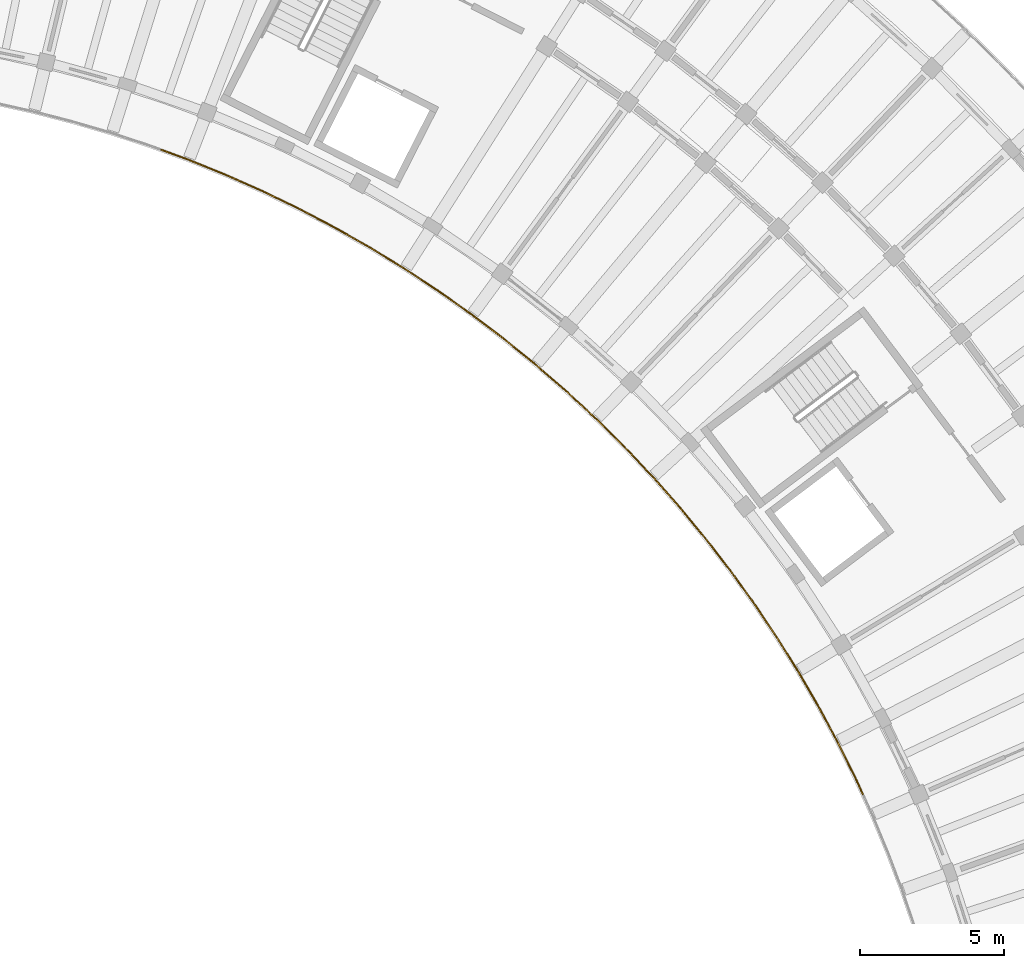
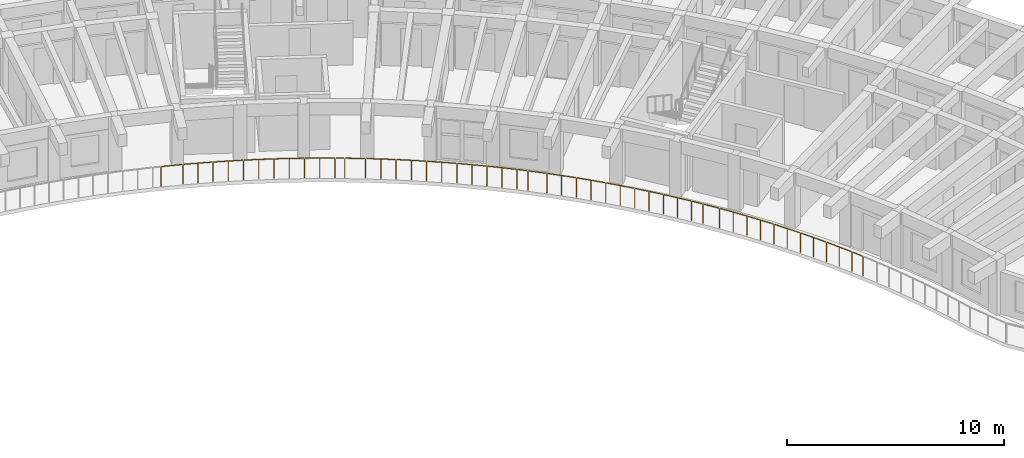
# One storey, part 92 of 96: 4 railings.
"""IFC4 building model written with IfcOpenShell, lengths in metres."""

from ifc_helpers import new_model, si_unit, direction, frame, origin, origin_2d, place, context, subcontext, project, spatial, circle, extrude, material, type_object, element, save


model = new_model("IFC4")

# Units and contexts
model_context = context("Model", 3, precision=1e-05, world=origin(), true_north=direction((0.0, 1.0)))
body_context = subcontext(model_context, "Body", "Model", "MODEL_VIEW")
ifc_project = project(units=[si_unit("LENGTHUNIT", "METRE"), si_unit("AREAUNIT", "SQUARE_METRE"), si_unit("VOLUMEUNIT", "CUBIC_METRE"), si_unit("PLANEANGLEUNIT", "RADIAN"), si_unit("MASSUNIT", "GRAM", prefix="KILO")], contexts=[model_context])

# Site, building, storey
site_placement = place(None, origin())
site = spatial("IfcSite", under=ifc_project, at=site_placement, CompositionType="ELEMENT")
building_placement = place(site_placement, origin())
building = spatial("IfcBuilding", under=site, at=building_placement, Name="Tanwirah Colonnade Gardens", CompositionType="ELEMENT")
storey_placement = place(building_placement, frame((0.0, 0.0, 12.199951171875)))
storey = spatial("IfcBuildingStorey", under=building, at=storey_placement, Name="L03", CompositionType="ELEMENT", Elevation=12.199951171875)

# Railings
ifc_material = material(Name="Precast concrete C40/50", Category="concrete")
railing_type = type_object("IfcRailingType", Name="BAL-EXT112", PredefinedType="BALUSTRADE", material=ifc_material)
railing_1_placement = place(storey_placement, frame((159.798095703125, 77.970947265625, 0.0)))
element("IfcRailing", 1, at=railing_1_placement, inside=storey, type_object=railing_type, Name="Block B L03 Balcony Ribbon Balustrade 2", PredefinedType="BALUSTRADE", context=body_context, shape_type="SweptSolid", body=[
    extrude(circle(Radius=0.02392578125, at=origin_2d()), frame((-0.012939453125, 0.028564453125, 1.09619140625), z_axis=(-0.414662350761, 0.909975348491, 0.0), x_axis=(-0.909975348491, -0.414662350761, 0.0)), (0.0, 0.0, 1.0), 0.55810546875),
    extrude(circle(Radius=0.02392578125, at=origin_2d()), frame((-0.2724609375, 0.59521484375, 1.09619140625), z_axis=(-0.444499692011, 0.895779003885, 0.0), x_axis=(-0.895779003885, -0.444499692011, 0.0)), (0.0, 0.0, 1.0), 1.341796875),
    extrude(circle(Radius=0.02392578125, at=origin_2d()), frame((-0.89892578125, 1.85498046875, 1.09619140625), z_axis=(-0.473716211853, 0.880677552018, 0.0), x_axis=(-0.880677552018, -0.473716211853, 0.0)), (0.0, 0.0, 1.0), 1.341796875),
    extrude(circle(Radius=0.02392578125, at=origin_2d()), frame((-1.566162109375, 3.093505859375, 1.09619140625), z_axis=(-0.502378729104, 0.864647681165, 0.0), x_axis=(-0.864647681165, -0.502378729104, 0.0)), (0.0, 0.0, 1.0), 1.342041015625),
    extrude(circle(Radius=0.02392578125, at=origin_2d()), frame((-2.274169921875, 4.3095703125, 1.09619140625), z_axis=(-0.530764445851, 0.847519382091, 0.0), x_axis=(-0.847519382091, -0.530764445851, 0.0)), (0.0, 0.0, 1.0), 1.341796875),
    extrude(circle(Radius=0.02392578125, at=origin_2d()), frame((-3.02197265625, 5.501220703125, 1.09619140625), z_axis=(-0.558385571779, 0.829581553091, 0.0), x_axis=(-0.829581553091, -0.558385571779, 0.0)), (0.0, 0.0, 1.0), 1.341796875),
    extrude(circle(Radius=0.02392578125, at=origin_2d()), frame((-3.808349609375, 6.66796875, 1.09619140625), z_axis=(-0.585427031638, 0.810725101763, 0.0), x_axis=(-0.810725101763, -0.585427031638, 0.0)), (0.0, 0.0, 1.0), 0.779541015625),
    extrude(circle(Radius=0.02099609375, at=origin_2d()), origin(), (0.0, 0.0, 1.0), 1.069091796875),
    extrude(circle(Radius=0.02099609375, at=origin_2d()), frame((-0.25732421875, 0.564697265625, 0.0)), (0.0, 0.0, 1.0), 1.069091796875),
    extrude(circle(Radius=0.02099609375, at=origin_2d()), frame((-0.57080078125, 1.1962890625, 0.0)), (0.0, 0.0, 1.0), 1.069091796875),
    extrude(circle(Radius=0.02099609375, at=origin_2d()), frame((-0.8828125, 1.8251953125, 0.0)), (0.0, 0.0, 1.0), 1.069091796875),
    extrude(circle(Radius=0.02099609375, at=origin_2d()), frame((-1.216796875, 2.44580078125, 0.0)), (0.0, 0.0, 1.0), 1.069091796875),
    extrude(circle(Radius=0.02099609375, at=origin_2d()), frame((-1.54931640625, 3.064208984375, 0.0)), (0.0, 0.0, 1.0), 1.069091796875),
    extrude(circle(Radius=0.02099609375, at=origin_2d()), frame((-1.9033203125, 3.673583984375, 0.0)), (0.0, 0.0, 1.0), 1.069091796875),
    extrude(circle(Radius=0.02099609375, at=origin_2d()), frame((-2.256103515625, 4.28076171875, 0.0)), (0.0, 0.0, 1.0), 1.069091796875),
    extrude(circle(Radius=0.02099609375, at=origin_2d()), frame((-2.63037109375, 4.8779296875, 0.0)), (0.0, 0.0, 1.0), 1.069091796875),
    extrude(circle(Radius=0.02099609375, at=origin_2d()), frame((-3.0029296875, 5.47314453125, 0.0)), (0.0, 0.0, 1.0), 1.069091796875),
    extrude(circle(Radius=0.02099609375, at=origin_2d()), frame((-3.396484375, 6.057861328125, 0.0)), (0.0, 0.0, 1.0), 1.069091796875),
    extrude(circle(Radius=0.02099609375, at=origin_2d()), frame((-3.78857421875, 6.640380859375, 0.0)), (0.0, 0.0, 1.0), 1.069091796875),
    extrude(circle(Radius=0.02099609375, at=origin_2d()), frame((-4.282958984375, 7.3251953125, 0.0)), (0.0, 0.0, 1.0), 1.069091796875),
])
railing_2_placement = place(storey_placement, frame((155.51513671875, 85.296142578125, 0.0)))
element("IfcRailing", 2, at=railing_2_placement, inside=storey, type_object=railing_type, Name="Block B L03 Balcony Ribbon Balustrade 3", PredefinedType="BALUSTRADE", context=body_context, shape_type="SweptSolid", body=[
    extrude(circle(Radius=0.02392578125, at=origin_2d()), frame((-0.018310546875, 0.025390625, 1.09619140625), z_axis=(-0.585664903779, 0.810553280471, 0.0), x_axis=(-0.810553280471, -0.585664903779, 0.0)), (0.0, 0.0, 1.0), 0.499755859375),
    extrude(circle(Radius=0.02392578125, at=origin_2d()), frame((-0.349853515625, 0.482666015625, 1.09619140625), z_axis=(-0.611783903817, 0.791024939576, 0.0), x_axis=(-0.791024939576, -0.611783903817, 0.0)), (0.0, 0.0, 1.0), 1.341796875),
    extrude(circle(Radius=0.02392578125, at=origin_2d()), frame((-1.211669921875, 1.594970703125, 1.09619140625), z_axis=(-0.637581943595, 0.770382544715, 0.0), x_axis=(-0.770382544715, -0.637581943595, 0.0)), (0.0, 0.0, 1.0), 1.342041015625),
    extrude(circle(Radius=0.02392578125, at=origin_2d()), frame((-2.109619140625, 2.67822265625, 1.09619140625), z_axis=(-0.662581384852, 0.748989925464, 0.0), x_axis=(-0.748989925464, -0.662581384852, 0.0)), (0.0, 0.0, 1.0), 1.341796875),
    extrude(circle(Radius=0.02392578125, at=origin_2d()), frame((-3.04248046875, 3.731201171875, 1.09619140625), z_axis=(-0.687011382404, 0.726646654466, 0.0), x_axis=(-0.726646654466, -0.687011382404, 0.0)), (0.0, 0.0, 1.0), 1.341796875),
    extrude(circle(Radius=0.02392578125, at=origin_2d()), frame((-4.009765625, 4.7529296875, 1.09619140625), z_axis=(-0.710488556831, 0.703708754111, 0.0), x_axis=(-0.703708754111, -0.710488556831, 0.0)), (0.0, 0.0, 1.0), 1.341796875),
    extrude(circle(Radius=0.02392578125, at=origin_2d()), frame((-5.01025390625, 5.7421875, 1.09619140625), z_axis=(-0.733450086442, 0.67974331236, 0.0), x_axis=(-0.67974331236, -0.733450086442, 0.0)), (0.0, 0.0, 1.0), 0.837646484375),
    extrude(circle(Radius=0.02099609375, at=origin_2d()), origin(), (0.0, 0.0, 1.0), 1.069091796875),
    extrude(circle(Radius=0.02099609375, at=origin_2d()), frame((-0.329345703125, 0.455810546875, 0.0)), (0.0, 0.0, 1.0), 1.069091796875),
    extrude(circle(Radius=0.02099609375, at=origin_2d()), frame((-0.76025390625, 1.013427734375, 0.0)), (0.0, 0.0, 1.0), 1.069091796875),
    extrude(circle(Radius=0.02099609375, at=origin_2d()), frame((-1.18994140625, 1.56884765625, 0.0)), (0.0, 0.0, 1.0), 1.069091796875),
    extrude(circle(Radius=0.02099609375, at=origin_2d()), frame((-1.639404296875, 2.11181640625, 0.0)), (0.0, 0.0, 1.0), 1.069091796875),
    extrude(circle(Radius=0.02099609375, at=origin_2d()), frame((-2.087158203125, 2.65283203125, 0.0)), (0.0, 0.0, 1.0), 1.069091796875),
    extrude(circle(Radius=0.02099609375, at=origin_2d()), frame((-2.55419921875, 3.1806640625, 0.0)), (0.0, 0.0, 1.0), 1.069091796875),
    extrude(circle(Radius=0.02099609375, at=origin_2d()), frame((-3.019287109375, 3.70654296875, 0.0)), (0.0, 0.0, 1.0), 1.069091796875),
    extrude(circle(Radius=0.02099609375, at=origin_2d()), frame((-3.50341796875, 4.21875, 0.0)), (0.0, 0.0, 1.0), 1.069091796875),
    extrude(circle(Radius=0.02099609375, at=origin_2d()), frame((-3.98583984375, 4.72900390625, 0.0)), (0.0, 0.0, 1.0), 1.069091796875),
    extrude(circle(Radius=0.02099609375, at=origin_2d()), frame((-4.486328125, 5.22509765625, 0.0)), (0.0, 0.0, 1.0), 1.069091796875),
    extrude(circle(Radius=0.02099609375, at=origin_2d()), frame((-4.9853515625, 5.71923828125, 0.0)), (0.0, 0.0, 1.0), 1.069091796875),
    extrude(circle(Radius=0.02099609375, at=origin_2d()), frame((-5.6474609375, 6.332763671875, 0.0)), (0.0, 0.0, 1.0), 1.069091796875),
])
railing_3_placement = place(storey_placement, frame((149.86767578125, 91.62890625, 0.0)))
element("IfcRailing", 3, at=railing_3_placement, inside=storey, type_object=railing_type, Name="Block B L03 Balcony Ribbon Balustrade 4", PredefinedType="BALUSTRADE", context=body_context, shape_type="SweptSolid", body=[
    extrude(circle(Radius=0.02392578125, at=origin_2d()), frame((-0.02294921875, 0.021240234375, 1.09619140625), z_axis=(-0.733224282582, 0.679986875926, 0.0), x_axis=(-0.679986875926, -0.733224282582, 0.0)), (0.0, 0.0, 1.0), 0.44189453125),
    extrude(circle(Radius=0.02392578125, at=origin_2d()), frame((-0.3955078125, 0.365234375, 1.09619140625), z_axis=(-0.755402192857, 0.655261418845, 0.0), x_axis=(-0.655261418845, -0.755402192857, 0.0)), (0.0, 0.0, 1.0), 1.341796875),
    extrude(circle(Radius=0.02392578125, at=origin_2d()), frame((-1.458740234375, 1.286376953125, 1.09619140625), z_axis=(-0.776491375378, 0.630127879056, 0.0), x_axis=(-0.630127879056, -0.776491375378, 0.0)), (0.0, 0.0, 1.0), 1.342041015625),
    extrude(circle(Radius=0.02392578125, at=origin_2d()), frame((-2.552001953125, 2.171875, 1.09619140625), z_axis=(-0.796818244666, 0.604219070344, 0.0), x_axis=(-0.604219070344, -0.796818244666, 0.0)), (0.0, 0.0, 1.0), 1.342041015625),
    extrude(circle(Radius=0.02392578125, at=origin_2d()), frame((-3.674072265625, 3.021240234375, 1.09619140625), z_axis=(-0.816321661452, 0.577597563226, 0.0), x_axis=(-0.577597563226, -0.816321661452, 0.0)), (0.0, 0.0, 1.0), 1.341552734375),
    extrude(circle(Radius=0.02392578125, at=origin_2d()), frame((-4.822998046875, 3.832763671875, 1.09619140625), z_axis=(-0.834927342507, 0.550360184547, 0.0), x_axis=(-0.550360184547, -0.834927342507, 0.0)), (0.0, 0.0, 1.0), 1.341796875),
    extrude(circle(Radius=0.02392578125, at=origin_2d()), frame((-5.998291015625, 4.606201171875, 1.09619140625), z_axis=(-0.852645184943, 0.522490371771, 0.0), x_axis=(-0.522490371771, -0.852645184943, 0.0)), (0.0, 0.0, 1.0), 0.895751953125),
    extrude(circle(Radius=0.02099609375, at=origin_2d()), origin(), (0.0, 0.0, 1.0), 1.069091796875),
    extrude(circle(Radius=0.02099609375, at=origin_2d()), frame((-0.369873046875, 0.343017578125, 0.0)), (0.0, 0.0, 1.0), 1.069091796875),
    extrude(circle(Radius=0.02099609375, at=origin_2d()), frame((-0.90234375, 0.8046875, 0.0)), (0.0, 0.0, 1.0), 1.069091796875),
    extrude(circle(Radius=0.02099609375, at=origin_2d()), frame((-1.4326171875, 1.264892578125, 0.0)), (0.0, 0.0, 1.0), 1.069091796875),
    extrude(circle(Radius=0.02099609375, at=origin_2d()), frame((-1.97998046875, 1.708984375, 0.0)), (0.0, 0.0, 1.0), 1.069091796875),
    extrude(circle(Radius=0.02099609375, at=origin_2d()), frame((-2.525146484375, 2.151611328125, 0.0)), (0.0, 0.0, 1.0), 1.069091796875),
    extrude(circle(Radius=0.02099609375, at=origin_2d()), frame((-3.086669921875, 2.577392578125, 0.0)), (0.0, 0.0, 1.0), 1.069091796875),
    extrude(circle(Radius=0.02099609375, at=origin_2d()), frame((-3.646240234375, 3.001708984375, 0.0)), (0.0, 0.0, 1.0), 1.069091796875),
    extrude(circle(Radius=0.02099609375, at=origin_2d()), frame((-4.2216796875, 3.40869140625, 0.0)), (0.0, 0.0, 1.0), 1.069091796875),
    extrude(circle(Radius=0.02099609375, at=origin_2d()), frame((-4.794677734375, 3.814208984375, 0.0)), (0.0, 0.0, 1.0), 1.069091796875),
    extrude(circle(Radius=0.02099609375, at=origin_2d()), frame((-5.38330078125, 4.2021484375, 0.0)), (0.0, 0.0, 1.0), 1.069091796875),
    extrude(circle(Radius=0.02099609375, at=origin_2d()), frame((-5.969482421875, 4.588623046875, 0.0)), (0.0, 0.0, 1.0), 1.069091796875),
    extrude(circle(Radius=0.02099609375, at=origin_2d()), frame((-6.788818359375, 5.090576171875, 0.0)), (0.0, 0.0, 1.0), 1.069091796875),
])
railing_4_placement = place(storey_placement, frame((143.078857421875, 96.719482421875, 0.0)))
element("IfcRailing", 4, at=railing_4_placement, inside=storey, type_object=railing_type, Name="Block B L03 Balcony Ribbon Balustrade 5", PredefinedType="BALUSTRADE", context=body_context, shape_type="SweptSolid", body=[
    extrude(circle(Radius=0.02392578125, at=origin_2d()), frame((-0.026611328125, 0.016357421875, 1.09619140625), z_axis=(-0.85257765709, 0.522600553608, 0.0), x_axis=(-0.522600553608, -0.85257765709, 0.0)), (0.0, 0.0, 1.0), 0.383544921875),
    extrude(circle(Radius=0.02392578125, at=origin_2d()), frame((-0.40966796875, 0.249755859375, 1.09619140625), z_axis=(-0.869342839865, 0.494209496848, 0.0), x_axis=(-0.494209496848, -0.869342839865, 0.0)), (0.0, 0.0, 1.0), 1.342041015625),
    extrude(circle(Radius=0.02392578125, at=origin_2d()), frame((-1.633544921875, 0.9443359375, 1.09619140625), z_axis=(-0.885204649416, 0.465201814972, 0.0), x_axis=(-0.465201814972, -0.885204649416, 0.0)), (0.0, 0.0, 1.0), 1.341796875),
    extrude(circle(Radius=0.02392578125, at=origin_2d()), frame((-2.87939453125, 1.597900390625, 1.09619140625), z_axis=(-0.900124070825, 0.43563362717, 0.0), x_axis=(-0.43563362717, -0.900124070825, 0.0)), (0.0, 0.0, 1.0), 1.341796875),
    extrude(circle(Radius=0.02392578125, at=origin_2d()), frame((-4.146240234375, 2.2099609375, 1.09619140625), z_axis=(-0.913997826773, 0.40571908096, 0.0), x_axis=(-0.40571908096, -0.913997826773, 0.0)), (0.0, 0.0, 1.0), 1.342041015625),
    extrude(circle(Radius=0.02392578125, at=origin_2d()), frame((-5.4326171875, 2.77978515625, 1.09619140625), z_axis=(-0.92683738147, 0.375463005247, 0.0), x_axis=(-0.375463005247, -0.92683738147, 0.0)), (0.0, 0.0, 1.0), 1.342041015625),
    extrude(circle(Radius=0.02392578125, at=origin_2d()), frame((-6.737060546875, 3.30712890625, 1.09619140625), z_axis=(-0.938687215578, 0.344769939686, 0.0), x_axis=(-0.344769939686, -0.938687215578, 0.0)), (0.0, 0.0, 1.0), 0.95361328125),
    extrude(circle(Radius=0.02099609375, at=origin_2d()), origin(), (0.0, 0.0, 1.0), 1.069091796875),
    extrude(circle(Radius=0.02099609375, at=origin_2d()), frame((-0.38037109375, 0.233154296875, 0.0)), (0.0, 0.0, 1.0), 1.069091796875),
    extrude(circle(Radius=0.02099609375, at=origin_2d()), frame((-0.9931640625, 0.58154296875, 0.0)), (0.0, 0.0, 1.0), 1.069091796875),
    extrude(circle(Radius=0.02099609375, at=origin_2d()), frame((-1.603515625, 0.928466796875, 0.0)), (0.0, 0.0, 1.0), 1.069091796875),
    extrude(circle(Radius=0.02099609375, at=origin_2d()), frame((-2.2275390625, 1.25634765625, 0.0)), (0.0, 0.0, 1.0), 1.069091796875),
    extrude(circle(Radius=0.02099609375, at=origin_2d()), frame((-2.84912109375, 1.5830078125, 0.0)), (0.0, 0.0, 1.0), 1.069091796875),
    extrude(circle(Radius=0.02099609375, at=origin_2d()), frame((-3.4833984375, 1.89013671875, 0.0)), (0.0, 0.0, 1.0), 1.069091796875),
    extrude(circle(Radius=0.02099609375, at=origin_2d()), frame((-4.115478515625, 2.196044921875, 0.0)), (0.0, 0.0, 1.0), 1.069091796875),
    extrude(circle(Radius=0.02099609375, at=origin_2d()), frame((-4.759521484375, 2.482177734375, 0.0)), (0.0, 0.0, 1.0), 1.069091796875),
    extrude(circle(Radius=0.02099609375, at=origin_2d()), frame((-5.4013671875, 2.76708984375, 0.0)), (0.0, 0.0, 1.0), 1.069091796875),
    extrude(circle(Radius=0.02099609375, at=origin_2d()), frame((-6.054443359375, 3.03173828125, 0.0)), (0.0, 0.0, 1.0), 1.069091796875),
    extrude(circle(Radius=0.02099609375, at=origin_2d()), frame((-6.705322265625, 3.29541015625, 0.0)), (0.0, 0.0, 1.0), 1.069091796875),
    extrude(circle(Radius=0.02099609375, at=origin_2d()), frame((-7.66162109375, 3.646728515625, 0.0)), (0.0, 0.0, 1.0), 1.069091796875),
])

save(model, "model.ifc")
